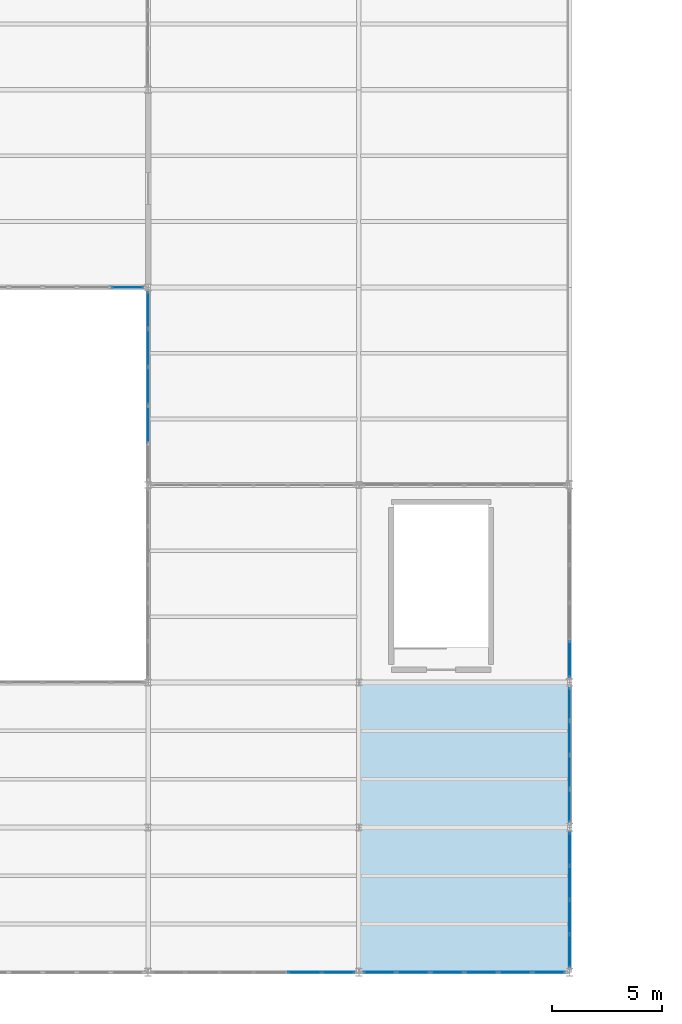
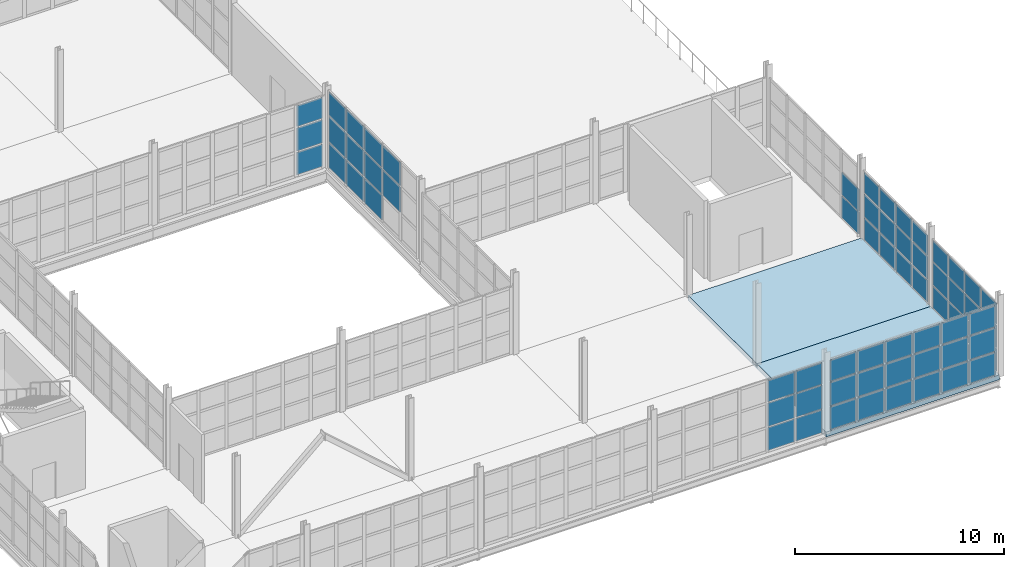
# One storey, part 92 of 120: 64 plates, 2 slabs, 7 elements without a shape of their own.
"""IFC4 building model written with IfcOpenShell, lengths in metres."""

import ifcopenshell
import ifcopenshell.guid

model = None  # the IFC model being written
_history = None  # IfcOwnerHistory: only IFC2X3 demands one
_inside = {}  # id of a spatial element -> (the spatial element, [elements in it])
_under = {}  # id of a project, library or spatial element -> (it, [spatial elements below it])
_declared = {}  # id of a project -> (the project, [libraries it declares])
_typed = {}  # id of a type object -> (the type object, [elements of that type])
_made_of = {}  # id of a material, layer set ... -> (it, [elements and type objects made of it])


def new_model(schema):
    """Start an empty IFC model of exactly this schema.

    Asked for "IFC4X3", IfcOpenShell would pick the latest addendum, in which some entities
    have other attributes; the version numbers below select the first issue.
    IFC2X3 requires an IfcOwnerHistory on every rooted entity: one is made here for all.
    """
    global model, _history
    if schema == "IFC4X3":
        model = ifcopenshell.file(schema_version=(4, 3, 0, 0))
    else:
        model = ifcopenshell.file(schema=schema)
    _inside.clear()
    _under.clear()
    _declared.clear()
    _typed.clear()
    _made_of.clear()
    _history = None
    if model.schema == "IFC2X3":
        org = make("IfcOrganization", Name="unknown")
        user = make(
            "IfcPersonAndOrganization",
            ThePerson=make("IfcPerson", FamilyName="unknown"),
            TheOrganization=org,
        )
        app = make(
            "IfcApplication",
            ApplicationDeveloper=org,
            Version="unknown",
            ApplicationFullName="unknown",
            ApplicationIdentifier="unknown",
        )
        _history = make(
            "IfcOwnerHistory",
            OwningUser=user,
            OwningApplication=app,
            ChangeAction="ADDED",
            CreationDate=0,
        )
    return model


def make(cls, **values):
    """One entity of the class cls with the attributes given. An attribute that is None is left unset."""
    return model.create_entity(
        cls, **{name: value for name, value in values.items() if value is not None}
    )


def rooted(cls, **values):
    """An entity with a GlobalId (a new one), such as an element, a storey or a relation."""
    return make(cls, GlobalId=ifcopenshell.guid.new(), OwnerHistory=_history, **values)


def si_unit(unit_type, name, prefix=None):
    """IfcSIUnit, for example si_unit("LENGTHUNIT", "METRE", prefix="MILLI")."""
    return make("IfcSIUnit", UnitType=unit_type, Prefix=prefix, Name=name)


def assignment(units):
    """IfcUnitAssignment: the units of a project."""
    return None if units is None else make("IfcUnitAssignment", Units=units)


def point(xyz):
    """IfcCartesianPoint."""
    return None if xyz is None else make("IfcCartesianPoint", Coordinates=xyz)


def direction(xyz):
    """IfcDirection."""
    return None if xyz is None else make("IfcDirection", DirectionRatios=xyz)


def frame(location, z_axis=None, x_axis=None):
    """IfcAxis2Placement3D, a coordinate frame: its origin and axes. An axis left out is left unset."""
    return make(
        "IfcAxis2Placement3D",
        Location=point(location),
        Axis=direction(z_axis),
        RefDirection=direction(x_axis),
    )


def frame_2d(location, x_axis=None):
    """IfcAxis2Placement2D, a coordinate frame in the plane: its origin and x axis."""
    return make(
        "IfcAxis2Placement2D", Location=point(location), RefDirection=direction(x_axis)
    )


def origin():
    """The frame at (0, 0, 0) with its axes left unset."""
    return frame((0.0, 0.0, 0.0))


def origin_2d():
    """The frame at (0, 0) in the plane with its x axis left unset."""
    return frame_2d((0.0, 0.0))


def place(relative_to, where):
    """IfcLocalPlacement: puts the frame where relative to a parent placement (None: the world)."""
    return make(
        "IfcLocalPlacement", PlacementRelTo=relative_to, RelativePlacement=where
    )


def context(
    kind, dimensions, precision=None, world=None, true_north=None, identifier=None
):
    """IfcGeometricRepresentationContext, for example the 3D "Model" context."""
    return make(
        "IfcGeometricRepresentationContext",
        ContextIdentifier=identifier,
        ContextType=kind,
        CoordinateSpaceDimension=dimensions,
        Precision=precision,
        WorldCoordinateSystem=world,
        TrueNorth=true_north,
    )


def subcontext(parent, identifier, kind, view, scale=None):
    """IfcGeometricRepresentationSubContext, for example "Body" below "Model"."""
    return make(
        "IfcGeometricRepresentationSubContext",
        ContextIdentifier=identifier,
        ContextType=kind,
        ParentContext=parent,
        TargetScale=scale,
        TargetView=view,
    )


def project(units=None, contexts=None):
    """IfcProject with its units and contexts."""
    return rooted(
        "IfcProject",
        Name="project",
        RepresentationContexts=contexts,
        UnitsInContext=assignment(units),
    )


def spatial(cls, under=None, at=None, **own):
    """A site, building, storey or space (cls), placed at a placement, below another one or the project."""
    s = rooted(cls, ObjectPlacement=at, **own)
    if under is not None:
        _under.setdefault(under.id(), (under, []))[1].append(s)
    return s


def polyline(points):
    """IfcPolyline through the points."""
    return make("IfcPolyline", Points=[point(p) for p in points])


def profile(cls, at=None, kind="AREA", **sizes):
    """A parametric profile (cls). Its sizes go by their IFC names, for example OverallWidth=200.0."""
    return make(cls, ProfileType=kind, Position=at, **sizes)


def rectangle(**sizes):
    """IfcRectangleProfileDef."""
    return profile("IfcRectangleProfileDef", **sizes)


def outline(outer, holes=None, kind="AREA"):
    """IfcArbitraryClosedProfileDef: a profile drawn as a closed curve; with holes, ...WithVoids."""
    if holes is None:
        return make("IfcArbitraryClosedProfileDef", ProfileType=kind, OuterCurve=outer)
    return make(
        "IfcArbitraryProfileDefWithVoids",
        ProfileType=kind,
        OuterCurve=outer,
        InnerCurves=holes,
    )


def extrude(swept, where, along, depth):
    """IfcExtrudedAreaSolid: the profile swept, set in the frame where, extruded along a direction by depth."""
    return make(
        "IfcExtrudedAreaSolid",
        SweptArea=swept,
        Position=where,
        ExtrudedDirection=direction(along),
        Depth=depth,
    )


def shape(context_of_items, identifier, shape_type, items):
    """IfcShapeRepresentation: the items that make up one representation, for example the "Body"."""
    return make(
        "IfcShapeRepresentation",
        ContextOfItems=context_of_items,
        RepresentationIdentifier=identifier,
        RepresentationType=shape_type,
        Items=items,
    )


def material(Name=None, Category=None):
    """IfcMaterial."""
    return make("IfcMaterial", Name=Name, Category=Category)


def layer(
    of_material, thickness, ventilated=None, Name=None, Category=None, Priority=None
):
    """IfcMaterialLayer: one layer of a wall or slab, of a material (None: an air gap)."""
    return make(
        "IfcMaterialLayer",
        Material=of_material,
        LayerThickness=thickness,
        IsVentilated=ventilated,
        Name=Name,
        Category=Category,
        Priority=Priority,
    )


def layer_set(layers, Name=None):
    """IfcMaterialLayerSet."""
    return make("IfcMaterialLayerSet", MaterialLayers=layers, LayerSetName=Name)


def made_of(thing, what):
    """Note that an element or type object is made of a material, layer set ...; save() writes the relation."""
    if what is not None:
        _made_of.setdefault(what.id(), (what, []))[1].append(thing)
    return thing


def type_object(cls, material=None, **own):
    """A type object (cls), such as IfcWallType, which elements share."""
    return made_of(rooted(cls, **own), material)


def element(
    cls,
    number,
    at=None,
    inside=None,
    cuts=None,
    type_object=None,
    material=None,
    context=None,
    identifier="Body",
    shape_type=None,
    held_by="IfcProductDefinitionShape",
    body=None,
    shapes=None,
    **own,
):
    """One element of the class cls, such as IfcWall. Its Tag is "e" and its number.

    at: its placement. inside: the storey or other place that contains it. cuts: it is an
    opening in that element (IfcRelVoidsElement). A single representation is given by context,
    identifier, shape_type and body (its items); several are given by shapes. held_by: the class
    of the entity that holds the representations. save() writes the other relations.
    """
    e = rooted(cls, Tag="e%d" % number, ObjectPlacement=at, **own)
    if body is not None:
        shapes = [shape(context, identifier, shape_type, body)]
    if shapes is not None:
        e.Representation = make(held_by, Representations=shapes)
    if inside is not None:
        _inside.setdefault(inside.id(), (inside, []))[1].append(e)
    if cuts is not None:
        rooted(
            "IfcRelVoidsElement", RelatingBuildingElement=cuts, RelatedOpeningElement=e
        )
    if type_object is not None:
        _typed.setdefault(type_object.id(), (type_object, []))[1].append(e)
    return made_of(e, material)


def aggregate(whole, parts):
    """IfcRelAggregates: a whole, such as a stair, and the parts it consists of."""
    return rooted("IfcRelAggregates", RelatingObject=whole, RelatedObjects=parts)


def save(model, path):
    """Write the relations noted so far, then the file.

    IfcRelAggregates (storeys below a building ...), IfcRelContainedInSpatialStructure (elements
    in a storey), IfcRelDefinesByType, IfcRelAssociatesMaterial and IfcRelDeclares: one each for
    every whole, place, type object, material and project.
    """
    for whole, parts in _under.values():
        aggregate(whole, parts)
    for where, things in _inside.values():
        rooted(
            "IfcRelContainedInSpatialStructure",
            RelatedElements=things,
            RelatingStructure=where,
        )
    for kind, things in _typed.values():
        rooted("IfcRelDefinesByType", RelatedObjects=things, RelatingType=kind)
    for what, things in _made_of.values():
        rooted("IfcRelAssociatesMaterial", RelatedObjects=things, RelatingMaterial=what)
    for by, libraries in _declared.values():
        rooted("IfcRelDeclares", RelatingContext=by, RelatedDefinitions=libraries)
    model.write(path)


model = new_model("IFC4")

# Units and contexts
model_context = context("Model", 3, precision=1e-05, world=origin(), true_north=direction((0.0, 1.0)))
body_context = subcontext(model_context, "Body", "Model", "MODEL_VIEW")
ifc_project = project(units=[si_unit("LENGTHUNIT", "METRE"), si_unit("AREAUNIT", "SQUARE_METRE"), si_unit("VOLUMEUNIT", "CUBIC_METRE"), si_unit("PLANEANGLEUNIT", "RADIAN"), si_unit("MASSUNIT", "GRAM", prefix="KILO")], contexts=[model_context])

# Site, building, storey
site_placement = place(None, origin())
site = spatial("IfcSite", under=ifc_project, at=site_placement, CompositionType="ELEMENT")
building_placement = place(site_placement, origin())
building = spatial("IfcBuilding", under=site, at=building_placement, Name="Zarnetskaya Central Station", CompositionType="ELEMENT")
storey_placement = place(building_placement, frame((0.0, 0.0, 5.39990234375)))
storey = spatial("IfcBuildingStorey", under=building, at=storey_placement, Name="L01", CompositionType="ELEMENT", Elevation=5.39990234375)

# Curtain wall, plates
ifc_material_1 = material(Name="Low-E insulated glass", Category="glass")
ifc_layer_1 = layer(ifc_material_1, 0.159912109375, Name="Low-E insulated glass", Category="glass")
ifc_layer_set_1 = layer_set([ifc_layer_1], Name="Low-E insulated glass")
curtain_wall_type = type_object("IfcCurtainWallType", Name="CW-SYS-06", PredefinedType="USERDEFINED", material=ifc_layer_set_1)
curtain_wall_1_placement = place(storey_placement, origin())
curtain_wall_1 = element("IfcCurtainWall", 1, at=curtain_wall_1_placement, inside=storey, type_object=curtain_wall_type, Name="Curtain wall CW-L01-120", ObjectType="CURTAIN WALL", PredefinedType="USERDEFINED")
ifc_layer_2 = layer(ifc_material_1, 0.028076171875, Name="Low-E insulated glass", Category="glass")
ifc_layer_set_2 = layer_set([ifc_layer_2], Name="Low-E insulated glass")
plate_type_1 = type_object("IfcPlateType", Name="CW-PAN-28", PredefinedType="CURTAIN_PANEL", material=ifc_layer_set_2)
plate_1_placement = place(storey_placement, frame((172.800048828125, 12.219970703125, 0.080078125), z_axis=(0.0, 0.0, 1.0), x_axis=(0.0, -1.0, 0.0)))
plate_1 = element("IfcPlate", 2, at=plate_1_placement, type_object=plate_type_1, Name="CW-02 panel 1.1", PredefinedType="CURTAIN_PANEL", context=body_context, shape_type="SweptSolid", body=[
    extrude(rectangle(XDim=1.43994140625, YDim=0.028076171875, at=origin_2d()), origin(), (0.0, 0.0, 1.0), 1.26708984375),
])
plate_2_placement = place(storey_placement, frame((172.800048828125, 12.219970703125, 1.42724609375), z_axis=(0.0, 0.0, 1.0), x_axis=(0.0, -1.0, 0.0)))
plate_2 = element("IfcPlate", 3, at=plate_2_placement, type_object=plate_type_1, Name="CW-02 panel 1.2", PredefinedType="CURTAIN_PANEL", context=body_context, shape_type="SweptSolid", body=[
    extrude(rectangle(XDim=1.43994140625, YDim=0.028076171875, at=origin_2d()), origin(), (0.0, 0.0, 1.0), 1.306884765625),
])
plate_3_placement = place(storey_placement, frame((172.800048828125, 12.219970703125, 2.81396484375), z_axis=(0.0, 0.0, 1.0), x_axis=(0.0, -1.0, 0.0)))
plate_3 = element("IfcPlate", 4, at=plate_3_placement, type_object=plate_type_1, Name="CW-02 panel 1.3", PredefinedType="CURTAIN_PANEL", context=body_context, shape_type="SweptSolid", body=[
    extrude(rectangle(XDim=1.43994140625, YDim=0.028076171875, at=origin_2d()), origin(), (0.0, 0.0, 1.0), 1.18603515625),
])
plate_4_placement = place(storey_placement, frame((172.800048828125, 10.679931640625, 0.080078125), z_axis=(0.0, 0.0, 1.0), x_axis=(0.0, -1.0, 0.0)))
plate_4 = element("IfcPlate", 5, at=plate_4_placement, type_object=plate_type_1, Name="CW-02 panel 2.1", PredefinedType="CURTAIN_PANEL", context=body_context, shape_type="SweptSolid", body=[
    extrude(rectangle(XDim=1.47998046875, YDim=0.028076171875, at=origin_2d()), origin(), (0.0, 0.0, 1.0), 1.26708984375),
])
plate_5_placement = place(storey_placement, frame((172.800048828125, 10.679931640625, 1.42724609375), z_axis=(0.0, 0.0, 1.0), x_axis=(0.0, -1.0, 0.0)))
plate_5 = element("IfcPlate", 6, at=plate_5_placement, type_object=plate_type_1, Name="CW-02 panel 2.2", PredefinedType="CURTAIN_PANEL", context=body_context, shape_type="SweptSolid", body=[
    extrude(rectangle(XDim=1.47998046875, YDim=0.028076171875, at=origin_2d()), origin(), (0.0, 0.0, 1.0), 1.306884765625),
])
plate_6_placement = place(storey_placement, frame((172.800048828125, 10.679931640625, 2.81396484375), z_axis=(0.0, 0.0, 1.0), x_axis=(0.0, -1.0, 0.0)))
plate_6 = element("IfcPlate", 7, at=plate_6_placement, type_object=plate_type_1, Name="CW-02 panel 2.3", PredefinedType="CURTAIN_PANEL", context=body_context, shape_type="SweptSolid", body=[
    extrude(rectangle(XDim=1.47998046875, YDim=0.028076171875, at=origin_2d()), origin(), (0.0, 0.0, 1.0), 1.18603515625),
])
plate_7_placement = place(storey_placement, frame((172.800048828125, 9.1201171875, 0.080078125), z_axis=(0.0, 0.0, 1.0), x_axis=(0.0, -1.0, 0.0)))
plate_7 = element("IfcPlate", 8, at=plate_7_placement, type_object=plate_type_1, Name="CW-02 panel 3.1", PredefinedType="CURTAIN_PANEL", context=body_context, shape_type="SweptSolid", body=[
    extrude(rectangle(XDim=1.47998046875, YDim=0.028076171875, at=origin_2d()), origin(), (0.0, 0.0, 1.0), 1.26708984375),
])
plate_8_placement = place(storey_placement, frame((172.800048828125, 9.1201171875, 1.42724609375), z_axis=(0.0, 0.0, 1.0), x_axis=(0.0, -1.0, 0.0)))
plate_8 = element("IfcPlate", 9, at=plate_8_placement, type_object=plate_type_1, Name="CW-02 panel 3.2", PredefinedType="CURTAIN_PANEL", context=body_context, shape_type="SweptSolid", body=[
    extrude(rectangle(XDim=1.47998046875, YDim=0.028076171875, at=origin_2d()), origin(), (0.0, 0.0, 1.0), 1.306884765625),
])
plate_9_placement = place(storey_placement, frame((172.800048828125, 9.1201171875, 2.81396484375), z_axis=(0.0, 0.0, 1.0), x_axis=(0.0, -1.0, 0.0)))
plate_9 = element("IfcPlate", 10, at=plate_9_placement, type_object=plate_type_1, Name="CW-02 panel 3.3", PredefinedType="CURTAIN_PANEL", context=body_context, shape_type="SweptSolid", body=[
    extrude(rectangle(XDim=1.47998046875, YDim=0.028076171875, at=origin_2d()), origin(), (0.0, 0.0, 1.0), 1.18603515625),
])
plate_10_placement = place(storey_placement, frame((172.800048828125, 7.580078125, 0.080078125), z_axis=(0.0, 0.0, 1.0), x_axis=(0.0, -1.0, 0.0)))
plate_10 = element("IfcPlate", 11, at=plate_10_placement, type_object=plate_type_1, Name="CW-02 panel 4.1", PredefinedType="CURTAIN_PANEL", context=body_context, shape_type="SweptSolid", body=[
    extrude(rectangle(XDim=1.43994140625, YDim=0.028076171875, at=origin_2d()), origin(), (0.0, 0.0, 1.0), 1.26708984375),
])
plate_11_placement = place(storey_placement, frame((172.800048828125, 7.580078125, 1.42724609375), z_axis=(0.0, 0.0, 1.0), x_axis=(0.0, -1.0, 0.0)))
plate_11 = element("IfcPlate", 12, at=plate_11_placement, type_object=plate_type_1, Name="CW-02 panel 4.2", PredefinedType="CURTAIN_PANEL", context=body_context, shape_type="SweptSolid", body=[
    extrude(rectangle(XDim=1.43994140625, YDim=0.028076171875, at=origin_2d()), origin(), (0.0, 0.0, 1.0), 1.306884765625),
])
plate_12_placement = place(storey_placement, frame((172.800048828125, 7.580078125, 2.81396484375), z_axis=(0.0, 0.0, 1.0), x_axis=(0.0, -1.0, 0.0)))
plate_12 = element("IfcPlate", 13, at=plate_12_placement, type_object=plate_type_1, Name="CW-02 panel 4.3", PredefinedType="CURTAIN_PANEL", context=body_context, shape_type="SweptSolid", body=[
    extrude(rectangle(XDim=1.43994140625, YDim=0.028076171875, at=origin_2d()), origin(), (0.0, 0.0, 1.0), 1.18603515625),
])
aggregate(curtain_wall_1, [plate_1, plate_2, plate_3, plate_4, plate_5, plate_6, plate_7, plate_8, plate_9, plate_10, plate_11, plate_12])

curtain_wall_2_placement = place(storey_placement, origin())
curtain_wall_2 = element("IfcCurtainWall", 14, at=curtain_wall_2_placement, inside=storey, type_object=curtain_wall_type, Name="Curtain wall CW-L01-130", ObjectType="CURTAIN WALL", PredefinedType="USERDEFINED")
plate_13_placement = place(storey_placement, frame((152.655029296875, 31.199951171875, 0.080078125), z_axis=(0.0, 0.0, 1.0), x_axis=(-1.0, 0.0, 0.0)))
plate_13 = element("IfcPlate", 15, at=plate_13_placement, type_object=plate_type_1, Name="CW-02 panel 1.1", PredefinedType="CURTAIN_PANEL", context=body_context, shape_type="SweptSolid", body=[
    extrude(rectangle(XDim=1.429931640625, YDim=0.028076171875, at=origin_2d()), origin(), (0.0, 0.0, 1.0), 1.30810546875),
])
plate_14_placement = place(storey_placement, frame((152.655029296875, 31.199951171875, 1.46826171875), z_axis=(0.0, 0.0, 1.0), x_axis=(-1.0, 0.0, 0.0)))
plate_14 = element("IfcPlate", 16, at=plate_14_placement, type_object=plate_type_1, Name="CW-02 panel 1.2", PredefinedType="CURTAIN_PANEL", context=body_context, shape_type="SweptSolid", body=[
    extrude(rectangle(XDim=1.429931640625, YDim=0.028076171875, at=origin_2d()), origin(), (0.0, 0.0, 1.0), 1.347900390625),
])
plate_15_placement = place(storey_placement, frame((152.655029296875, 31.199951171875, 2.89599609375), z_axis=(0.0, 0.0, 1.0), x_axis=(-1.0, 0.0, 0.0)))
plate_15 = element("IfcPlate", 17, at=plate_15_placement, type_object=plate_type_1, Name="CW-02 panel 1.3", PredefinedType="CURTAIN_PANEL", context=body_context, shape_type="SweptSolid", body=[
    extrude(rectangle(XDim=1.429931640625, YDim=0.028076171875, at=origin_2d()), origin(), (0.0, 0.0, 1.0), 1.22412109375),
])
aggregate(curtain_wall_2, [plate_13, plate_14, plate_15])

curtain_wall_3_placement = place(storey_placement, origin())
curtain_wall_3 = element("IfcCurtainWall", 18, at=curtain_wall_3_placement, inside=storey, type_object=curtain_wall_type, Name="Curtain wall CW-L01-116", ObjectType="CURTAIN WALL", PredefinedType="USERDEFINED")
ifc_layer_3 = layer(ifc_material_1, 0.031982421875, Name="Low-E insulated glass", Category="glass")
ifc_layer_set_3 = layer_set([ifc_layer_3], Name="Low-E insulated glass")
plate_type_2 = type_object("IfcPlateType", Name="CW-PAN-32", PredefinedType="CURTAIN_PANEL", material=ifc_layer_set_3)
plate_16_placement = place(storey_placement, frame((153.60009765625, 30.159912109375, 0.080078125), z_axis=(0.0, 0.0, 1.0), x_axis=(0.0, -1.0, 0.0)))
plate_16 = element("IfcPlate", 19, at=plate_16_placement, type_object=plate_type_2, Name="CW-02 panel 1.1", PredefinedType="CURTAIN_PANEL", context=body_context, shape_type="SweptSolid", body=[
    extrude(rectangle(XDim=1.6201171875, YDim=0.031982421875, at=origin_2d()), origin(), (0.0, 0.0, 1.0), 1.43408203125),
])
plate_17_placement = place(storey_placement, frame((153.60009765625, 30.159912109375, 1.593994140625), z_axis=(0.0, 0.0, 1.0), x_axis=(0.0, -1.0, 0.0)))
plate_17 = element("IfcPlate", 20, at=plate_17_placement, type_object=plate_type_2, Name="CW-02 panel 1.2", PredefinedType="CURTAIN_PANEL", context=body_context, shape_type="SweptSolid", body=[
    extrude(rectangle(XDim=1.6201171875, YDim=0.031982421875, at=origin_2d()), origin(), (0.0, 0.0, 1.0), 1.47412109375),
])
plate_18_placement = place(storey_placement, frame((153.60009765625, 30.159912109375, 3.14794921875), z_axis=(0.0, 0.0, 1.0), x_axis=(0.0, -1.0, 0.0)))
plate_18 = element("IfcPlate", 21, at=plate_18_placement, type_object=plate_type_2, Name="CW-02 panel 1.3", PredefinedType="CURTAIN_PANEL", context=body_context, shape_type="SweptSolid", body=[
    extrude(rectangle(XDim=1.6201171875, YDim=0.031982421875, at=origin_2d()), origin(), (0.0, 0.0, 1.0), 1.342041015625),
])
plate_19_placement = place(storey_placement, frame((153.60009765625, 28.43994140625, 0.080078125), z_axis=(0.0, 0.0, 1.0), x_axis=(0.0, -1.0, 0.0)))
plate_19 = element("IfcPlate", 22, at=plate_19_placement, type_object=plate_type_2, Name="CW-02 panel 2.1", PredefinedType="CURTAIN_PANEL", context=body_context, shape_type="SweptSolid", body=[
    extrude(rectangle(XDim=1.659912109375, YDim=0.031982421875, at=origin_2d()), origin(), (0.0, 0.0, 1.0), 1.43408203125),
])
plate_20_placement = place(storey_placement, frame((153.60009765625, 28.43994140625, 1.593994140625), z_axis=(0.0, 0.0, 1.0), x_axis=(0.0, -1.0, 0.0)))
plate_20 = element("IfcPlate", 23, at=plate_20_placement, type_object=plate_type_2, Name="CW-02 panel 2.2", PredefinedType="CURTAIN_PANEL", context=body_context, shape_type="SweptSolid", body=[
    extrude(rectangle(XDim=1.659912109375, YDim=0.031982421875, at=origin_2d()), origin(), (0.0, 0.0, 1.0), 1.47412109375),
])
plate_21_placement = place(storey_placement, frame((153.60009765625, 28.43994140625, 3.14794921875), z_axis=(0.0, 0.0, 1.0), x_axis=(0.0, -1.0, 0.0)))
plate_21 = element("IfcPlate", 24, at=plate_21_placement, type_object=plate_type_2, Name="CW-02 panel 2.3", PredefinedType="CURTAIN_PANEL", context=body_context, shape_type="SweptSolid", body=[
    extrude(rectangle(XDim=1.659912109375, YDim=0.031982421875, at=origin_2d()), origin(), (0.0, 0.0, 1.0), 1.342041015625),
])
plate_22_placement = place(storey_placement, frame((153.60009765625, 26.699951171875, 0.080078125), z_axis=(0.0, 0.0, 1.0), x_axis=(0.0, -1.0, 0.0)))
plate_22 = element("IfcPlate", 25, at=plate_22_placement, type_object=plate_type_2, Name="CW-02 panel 3.1", PredefinedType="CURTAIN_PANEL", context=body_context, shape_type="SweptSolid", body=[
    extrude(rectangle(XDim=1.659912109375, YDim=0.031982421875, at=origin_2d()), origin(), (0.0, 0.0, 1.0), 1.43408203125),
])
plate_23_placement = place(storey_placement, frame((153.60009765625, 26.699951171875, 1.593994140625), z_axis=(0.0, 0.0, 1.0), x_axis=(0.0, -1.0, 0.0)))
plate_23 = element("IfcPlate", 26, at=plate_23_placement, type_object=plate_type_2, Name="CW-02 panel 3.2", PredefinedType="CURTAIN_PANEL", context=body_context, shape_type="SweptSolid", body=[
    extrude(rectangle(XDim=1.659912109375, YDim=0.031982421875, at=origin_2d()), origin(), (0.0, 0.0, 1.0), 1.47412109375),
])
plate_24_placement = place(storey_placement, frame((153.60009765625, 26.699951171875, 3.14794921875), z_axis=(0.0, 0.0, 1.0), x_axis=(0.0, -1.0, 0.0)))
plate_24 = element("IfcPlate", 27, at=plate_24_placement, type_object=plate_type_2, Name="CW-02 panel 3.3", PredefinedType="CURTAIN_PANEL", context=body_context, shape_type="SweptSolid", body=[
    extrude(rectangle(XDim=1.659912109375, YDim=0.031982421875, at=origin_2d()), origin(), (0.0, 0.0, 1.0), 1.342041015625),
])
plate_25_placement = place(storey_placement, frame((153.60009765625, 24.9599609375, 1.593994140625), z_axis=(0.0, 0.0, 1.0), x_axis=(0.0, -1.0, 0.0)))
plate_25 = element("IfcPlate", 28, at=plate_25_placement, type_object=plate_type_2, Name="CW-02 panel 4.2", PredefinedType="CURTAIN_PANEL", context=body_context, shape_type="SweptSolid", body=[
    extrude(rectangle(XDim=1.659912109375, YDim=0.031982421875, at=origin_2d()), origin(), (0.0, 0.0, 1.0), 1.47412109375),
])
plate_26_placement = place(storey_placement, frame((153.60009765625, 24.9599609375, 3.14794921875), z_axis=(0.0, 0.0, 1.0), x_axis=(0.0, -1.0, 0.0)))
plate_26 = element("IfcPlate", 29, at=plate_26_placement, type_object=plate_type_2, Name="CW-02 panel 4.3", PredefinedType="CURTAIN_PANEL", context=body_context, shape_type="SweptSolid", body=[
    extrude(rectangle(XDim=1.659912109375, YDim=0.031982421875, at=origin_2d()), origin(), (0.0, 0.0, 1.0), 1.342041015625),
])
aggregate(curtain_wall_3, [plate_16, plate_17, plate_18, plate_19, plate_20, plate_21, plate_22, plate_23, plate_24, plate_25, plate_26])

curtain_wall_4_placement = place(storey_placement, origin())
curtain_wall_4 = element("IfcCurtainWall", 30, at=curtain_wall_4_placement, inside=storey, type_object=curtain_wall_type, Name="Curtain wall CW-L01-121", ObjectType="CURTAIN WALL", PredefinedType="USERDEFINED")
plate_27_placement = place(storey_placement, frame((172.800048828125, 5.62255859375, 0.0703125), z_axis=(0.0, 0.0, 1.0), x_axis=(0.0, -1.0, 0.0)))
plate_27 = element("IfcPlate", 31, at=plate_27_placement, type_object=plate_type_2, Name="CW-02 panel 1.1", PredefinedType="CURTAIN_PANEL", context=body_context, shape_type="SweptSolid", body=[
    extrude(rectangle(XDim=1.455078125, YDim=0.031982421875, at=origin_2d()), origin(), (0.0, 0.0, 1.0), 1.281982421875),
])
plate_28_placement = place(storey_placement, frame((172.800048828125, 5.62255859375, 1.422119140625), z_axis=(0.0, 0.0, 1.0), x_axis=(0.0, -1.0, 0.0)))
plate_28 = element("IfcPlate", 32, at=plate_28_placement, type_object=plate_type_2, Name="CW-02 panel 1.2", PredefinedType="CURTAIN_PANEL", context=body_context, shape_type="SweptSolid", body=[
    extrude(rectangle(XDim=1.455078125, YDim=0.031982421875, at=origin_2d()), origin(), (0.0, 0.0, 1.0), 1.31689453125),
])
plate_29_placement = place(storey_placement, frame((172.800048828125, 5.62255859375, 2.80908203125), z_axis=(0.0, 0.0, 1.0), x_axis=(0.0, -1.0, 0.0)))
plate_29 = element("IfcPlate", 33, at=plate_29_placement, type_object=plate_type_2, Name="CW-02 panel 1.3", PredefinedType="CURTAIN_PANEL", context=body_context, shape_type="SweptSolid", body=[
    extrude(rectangle(XDim=1.455078125, YDim=0.031982421875, at=origin_2d()), origin(), (0.0, 0.0, 1.0), 1.200927734375),
])
plate_30_placement = place(storey_placement, frame((172.800048828125, 4.080078125, 0.0703125), z_axis=(0.0, 0.0, 1.0), x_axis=(0.0, -1.0, 0.0)))
plate_30 = element("IfcPlate", 34, at=plate_30_placement, type_object=plate_type_2, Name="CW-02 panel 2.1", PredefinedType="CURTAIN_PANEL", context=body_context, shape_type="SweptSolid", body=[
    extrude(rectangle(XDim=1.489990234375, YDim=0.031982421875, at=origin_2d()), origin(), (0.0, 0.0, 1.0), 1.281982421875),
])
plate_31_placement = place(storey_placement, frame((172.800048828125, 4.080078125, 1.422119140625), z_axis=(0.0, 0.0, 1.0), x_axis=(0.0, -1.0, 0.0)))
plate_31 = element("IfcPlate", 35, at=plate_31_placement, type_object=plate_type_2, Name="CW-02 panel 2.2", PredefinedType="CURTAIN_PANEL", context=body_context, shape_type="SweptSolid", body=[
    extrude(rectangle(XDim=1.489990234375, YDim=0.031982421875, at=origin_2d()), origin(), (0.0, 0.0, 1.0), 1.31689453125),
])
plate_32_placement = place(storey_placement, frame((172.800048828125, 4.080078125, 2.80908203125), z_axis=(0.0, 0.0, 1.0), x_axis=(0.0, -1.0, 0.0)))
plate_32 = element("IfcPlate", 36, at=plate_32_placement, type_object=plate_type_2, Name="CW-02 panel 2.3", PredefinedType="CURTAIN_PANEL", context=body_context, shape_type="SweptSolid", body=[
    extrude(rectangle(XDim=1.489990234375, YDim=0.031982421875, at=origin_2d()), origin(), (0.0, 0.0, 1.0), 1.200927734375),
])
plate_33_placement = place(storey_placement, frame((172.800048828125, 2.52001953125, 0.0703125), z_axis=(0.0, 0.0, 1.0), x_axis=(0.0, -1.0, 0.0)))
plate_33 = element("IfcPlate", 37, at=plate_33_placement, type_object=plate_type_2, Name="CW-02 panel 3.1", PredefinedType="CURTAIN_PANEL", context=body_context, shape_type="SweptSolid", body=[
    extrude(rectangle(XDim=1.489990234375, YDim=0.031982421875, at=origin_2d()), origin(), (0.0, 0.0, 1.0), 1.281982421875),
])
plate_34_placement = place(storey_placement, frame((172.800048828125, 2.52001953125, 1.422119140625), z_axis=(0.0, 0.0, 1.0), x_axis=(0.0, -1.0, 0.0)))
plate_34 = element("IfcPlate", 38, at=plate_34_placement, type_object=plate_type_2, Name="CW-02 panel 3.2", PredefinedType="CURTAIN_PANEL", context=body_context, shape_type="SweptSolid", body=[
    extrude(rectangle(XDim=1.489990234375, YDim=0.031982421875, at=origin_2d()), origin(), (0.0, 0.0, 1.0), 1.31689453125),
])
plate_35_placement = place(storey_placement, frame((172.800048828125, 2.52001953125, 2.80908203125), z_axis=(0.0, 0.0, 1.0), x_axis=(0.0, -1.0, 0.0)))
plate_35 = element("IfcPlate", 39, at=plate_35_placement, type_object=plate_type_2, Name="CW-02 panel 3.3", PredefinedType="CURTAIN_PANEL", context=body_context, shape_type="SweptSolid", body=[
    extrude(rectangle(XDim=1.489990234375, YDim=0.031982421875, at=origin_2d()), origin(), (0.0, 0.0, 1.0), 1.200927734375),
])
plate_36_placement = place(storey_placement, frame((172.800048828125, 0.9775390625, 0.0703125), z_axis=(0.0, 0.0, 1.0), x_axis=(0.0, -1.0, 0.0)))
plate_36 = element("IfcPlate", 40, at=plate_36_placement, type_object=plate_type_2, Name="CW-02 panel 4.1", PredefinedType="CURTAIN_PANEL", context=body_context, shape_type="SweptSolid", body=[
    extrude(rectangle(XDim=1.455078125, YDim=0.031982421875, at=origin_2d()), origin(), (0.0, 0.0, 1.0), 1.281982421875),
])
plate_37_placement = place(storey_placement, frame((172.800048828125, 0.9775390625, 1.422119140625), z_axis=(0.0, 0.0, 1.0), x_axis=(0.0, -1.0, 0.0)))
plate_37 = element("IfcPlate", 41, at=plate_37_placement, type_object=plate_type_2, Name="CW-02 panel 4.2", PredefinedType="CURTAIN_PANEL", context=body_context, shape_type="SweptSolid", body=[
    extrude(rectangle(XDim=1.455078125, YDim=0.031982421875, at=origin_2d()), origin(), (0.0, 0.0, 1.0), 1.31689453125),
])
plate_38_placement = place(storey_placement, frame((172.800048828125, 0.9775390625, 2.80908203125), z_axis=(0.0, 0.0, 1.0), x_axis=(0.0, -1.0, 0.0)))
plate_38 = element("IfcPlate", 42, at=plate_38_placement, type_object=plate_type_2, Name="CW-02 panel 4.3", PredefinedType="CURTAIN_PANEL", context=body_context, shape_type="SweptSolid", body=[
    extrude(rectangle(XDim=1.455078125, YDim=0.031982421875, at=origin_2d()), origin(), (0.0, 0.0, 1.0), 1.200927734375),
])
aggregate(curtain_wall_4, [plate_27, plate_28, plate_29, plate_30, plate_31, plate_32, plate_33, plate_34, plate_35, plate_36, plate_37, plate_38])

curtain_wall_5_placement = place(storey_placement, origin())
curtain_wall_5 = element("IfcCurtainWall", 43, at=curtain_wall_5_placement, inside=storey, type_object=curtain_wall_type, Name="Curtain wall CW-L01-122", ObjectType="CURTAIN WALL", PredefinedType="USERDEFINED")
ifc_layer_4 = layer(ifc_material_1, 0.035888671875, Name="Low-E insulated glass", Category="glass")
ifc_layer_set_4 = layer_set([ifc_layer_4], Name="Low-E insulated glass")
plate_type_3 = type_object("IfcPlateType", Name="CW-PAN-36", PredefinedType="CURTAIN_PANEL", material=ifc_layer_set_4)
plate_39_placement = place(storey_placement, frame((171.85498046875, 0.0, 0.080078125), z_axis=(0.0, 0.0, 1.0), x_axis=(-1.0, 0.0, 0.0)))
plate_39 = element("IfcPlate", 44, at=plate_39_placement, type_object=plate_type_3, Name="CW-02 panel 1.1", PredefinedType="CURTAIN_PANEL", context=body_context, shape_type="SweptSolid", body=[
    extrude(rectangle(XDim=1.429931640625, YDim=0.035888671875, at=origin_2d()), origin(), (0.0, 0.0, 1.0), 1.31494140625),
])
plate_40_placement = place(storey_placement, frame((171.85498046875, 0.0, 1.47509765625), z_axis=(0.0, 0.0, 1.0), x_axis=(-1.0, 0.0, 0.0)))
plate_40 = element("IfcPlate", 45, at=plate_40_placement, type_object=plate_type_3, Name="CW-02 panel 1.2", PredefinedType="CURTAIN_PANEL", context=body_context, shape_type="SweptSolid", body=[
    extrude(rectangle(XDim=1.429931640625, YDim=0.035888671875, at=origin_2d()), origin(), (0.0, 0.0, 1.0), 1.35498046875),
])
plate_41_placement = place(storey_placement, frame((171.85498046875, 0.0, 2.91015625), z_axis=(0.0, 0.0, 1.0), x_axis=(-1.0, 0.0, 0.0)))
plate_41 = element("IfcPlate", 46, at=plate_41_placement, type_object=plate_type_3, Name="CW-02 panel 1.3", PredefinedType="CURTAIN_PANEL", context=body_context, shape_type="SweptSolid", body=[
    extrude(rectangle(XDim=1.429931640625, YDim=0.035888671875, at=origin_2d()), origin(), (0.0, 0.0, 1.0), 1.22998046875),
])
plate_42_placement = place(storey_placement, frame((170.324951171875, 0.0, 0.080078125), z_axis=(0.0, 0.0, 1.0), x_axis=(-1.0, 0.0, 0.0)))
plate_42 = element("IfcPlate", 47, at=plate_42_placement, type_object=plate_type_3, Name="CW-02 panel 2.1", PredefinedType="CURTAIN_PANEL", context=body_context, shape_type="SweptSolid", body=[
    extrude(rectangle(XDim=1.469970703125, YDim=0.035888671875, at=origin_2d()), origin(), (0.0, 0.0, 1.0), 1.31494140625),
])
plate_43_placement = place(storey_placement, frame((170.324951171875, 0.0, 1.47509765625), z_axis=(0.0, 0.0, 1.0), x_axis=(-1.0, 0.0, 0.0)))
plate_43 = element("IfcPlate", 48, at=plate_43_placement, type_object=plate_type_3, Name="CW-02 panel 2.2", PredefinedType="CURTAIN_PANEL", context=body_context, shape_type="SweptSolid", body=[
    extrude(rectangle(XDim=1.469970703125, YDim=0.035888671875, at=origin_2d()), origin(), (0.0, 0.0, 1.0), 1.35498046875),
])
plate_44_placement = place(storey_placement, frame((170.324951171875, 0.0, 2.91015625), z_axis=(0.0, 0.0, 1.0), x_axis=(-1.0, 0.0, 0.0)))
plate_44 = element("IfcPlate", 49, at=plate_44_placement, type_object=plate_type_3, Name="CW-02 panel 2.3", PredefinedType="CURTAIN_PANEL", context=body_context, shape_type="SweptSolid", body=[
    extrude(rectangle(XDim=1.469970703125, YDim=0.035888671875, at=origin_2d()), origin(), (0.0, 0.0, 1.0), 1.22998046875),
])
plate_45_placement = place(storey_placement, frame((168.77490234375, 0.0, 0.080078125), z_axis=(0.0, 0.0, 1.0), x_axis=(-1.0, 0.0, 0.0)))
plate_45 = element("IfcPlate", 50, at=plate_45_placement, type_object=plate_type_3, Name="CW-02 panel 3.1", PredefinedType="CURTAIN_PANEL", context=body_context, shape_type="SweptSolid", body=[
    extrude(rectangle(XDim=1.469970703125, YDim=0.035888671875, at=origin_2d()), origin(), (0.0, 0.0, 1.0), 1.31494140625),
])
plate_46_placement = place(storey_placement, frame((168.77490234375, 0.0, 1.47509765625), z_axis=(0.0, 0.0, 1.0), x_axis=(-1.0, 0.0, 0.0)))
plate_46 = element("IfcPlate", 51, at=plate_46_placement, type_object=plate_type_3, Name="CW-02 panel 3.2", PredefinedType="CURTAIN_PANEL", context=body_context, shape_type="SweptSolid", body=[
    extrude(rectangle(XDim=1.469970703125, YDim=0.035888671875, at=origin_2d()), origin(), (0.0, 0.0, 1.0), 1.35498046875),
])
plate_47_placement = place(storey_placement, frame((168.77490234375, 0.0, 2.91015625), z_axis=(0.0, 0.0, 1.0), x_axis=(-1.0, 0.0, 0.0)))
plate_47 = element("IfcPlate", 52, at=plate_47_placement, type_object=plate_type_3, Name="CW-02 panel 3.3", PredefinedType="CURTAIN_PANEL", context=body_context, shape_type="SweptSolid", body=[
    extrude(rectangle(XDim=1.469970703125, YDim=0.035888671875, at=origin_2d()), origin(), (0.0, 0.0, 1.0), 1.22998046875),
])
plate_48_placement = place(storey_placement, frame((167.22509765625, 0.0, 0.080078125), z_axis=(0.0, 0.0, 1.0), x_axis=(-1.0, 0.0, 0.0)))
plate_48 = element("IfcPlate", 53, at=plate_48_placement, type_object=plate_type_3, Name="CW-02 panel 4.1", PredefinedType="CURTAIN_PANEL", context=body_context, shape_type="SweptSolid", body=[
    extrude(rectangle(XDim=1.469970703125, YDim=0.035888671875, at=origin_2d()), origin(), (0.0, 0.0, 1.0), 1.31494140625),
])
plate_49_placement = place(storey_placement, frame((167.22509765625, 0.0, 1.47509765625), z_axis=(0.0, 0.0, 1.0), x_axis=(-1.0, 0.0, 0.0)))
plate_49 = element("IfcPlate", 54, at=plate_49_placement, type_object=plate_type_3, Name="CW-02 panel 4.2", PredefinedType="CURTAIN_PANEL", context=body_context, shape_type="SweptSolid", body=[
    extrude(rectangle(XDim=1.469970703125, YDim=0.035888671875, at=origin_2d()), origin(), (0.0, 0.0, 1.0), 1.35498046875),
])
plate_50_placement = place(storey_placement, frame((167.22509765625, 0.0, 2.91015625), z_axis=(0.0, 0.0, 1.0), x_axis=(-1.0, 0.0, 0.0)))
plate_50 = element("IfcPlate", 55, at=plate_50_placement, type_object=plate_type_3, Name="CW-02 panel 4.3", PredefinedType="CURTAIN_PANEL", context=body_context, shape_type="SweptSolid", body=[
    extrude(rectangle(XDim=1.469970703125, YDim=0.035888671875, at=origin_2d()), origin(), (0.0, 0.0, 1.0), 1.22998046875),
])
plate_51_placement = place(storey_placement, frame((165.675048828125, 0.0, 0.080078125), z_axis=(0.0, 0.0, 1.0), x_axis=(-1.0, 0.0, 0.0)))
plate_51 = element("IfcPlate", 56, at=plate_51_placement, type_object=plate_type_3, Name="CW-02 panel 5.1", PredefinedType="CURTAIN_PANEL", context=body_context, shape_type="SweptSolid", body=[
    extrude(rectangle(XDim=1.469970703125, YDim=0.035888671875, at=origin_2d()), origin(), (0.0, 0.0, 1.0), 1.31494140625),
])
plate_52_placement = place(storey_placement, frame((165.675048828125, 0.0, 1.47509765625), z_axis=(0.0, 0.0, 1.0), x_axis=(-1.0, 0.0, 0.0)))
plate_52 = element("IfcPlate", 57, at=plate_52_placement, type_object=plate_type_3, Name="CW-02 panel 5.2", PredefinedType="CURTAIN_PANEL", context=body_context, shape_type="SweptSolid", body=[
    extrude(rectangle(XDim=1.469970703125, YDim=0.035888671875, at=origin_2d()), origin(), (0.0, 0.0, 1.0), 1.35498046875),
])
plate_53_placement = place(storey_placement, frame((165.675048828125, 0.0, 2.91015625), z_axis=(0.0, 0.0, 1.0), x_axis=(-1.0, 0.0, 0.0)))
plate_53 = element("IfcPlate", 58, at=plate_53_placement, type_object=plate_type_3, Name="CW-02 panel 5.3", PredefinedType="CURTAIN_PANEL", context=body_context, shape_type="SweptSolid", body=[
    extrude(rectangle(XDim=1.469970703125, YDim=0.035888671875, at=origin_2d()), origin(), (0.0, 0.0, 1.0), 1.22998046875),
])
plate_54_placement = place(storey_placement, frame((164.14501953125, 0.0, 0.080078125), z_axis=(0.0, 0.0, 1.0), x_axis=(-1.0, 0.0, 0.0)))
plate_54 = element("IfcPlate", 59, at=plate_54_placement, type_object=plate_type_3, Name="CW-02 panel 6.1", PredefinedType="CURTAIN_PANEL", context=body_context, shape_type="SweptSolid", body=[
    extrude(rectangle(XDim=1.429931640625, YDim=0.035888671875, at=origin_2d()), origin(), (0.0, 0.0, 1.0), 1.31494140625),
])
plate_55_placement = place(storey_placement, frame((164.14501953125, 0.0, 1.47509765625), z_axis=(0.0, 0.0, 1.0), x_axis=(-1.0, 0.0, 0.0)))
plate_55 = element("IfcPlate", 60, at=plate_55_placement, type_object=plate_type_3, Name="CW-02 panel 6.2", PredefinedType="CURTAIN_PANEL", context=body_context, shape_type="SweptSolid", body=[
    extrude(rectangle(XDim=1.429931640625, YDim=0.035888671875, at=origin_2d()), origin(), (0.0, 0.0, 1.0), 1.35498046875),
])
plate_56_placement = place(storey_placement, frame((164.14501953125, 0.0, 2.91015625), z_axis=(0.0, 0.0, 1.0), x_axis=(-1.0, 0.0, 0.0)))
plate_56 = element("IfcPlate", 61, at=plate_56_placement, type_object=plate_type_3, Name="CW-02 panel 6.3", PredefinedType="CURTAIN_PANEL", context=body_context, shape_type="SweptSolid", body=[
    extrude(rectangle(XDim=1.429931640625, YDim=0.035888671875, at=origin_2d()), origin(), (0.0, 0.0, 1.0), 1.22998046875),
])
aggregate(curtain_wall_5, [plate_39, plate_40, plate_41, plate_42, plate_43, plate_44, plate_45, plate_46, plate_47, plate_48, plate_49, plate_50, plate_51, plate_52, plate_53, plate_54, plate_55, plate_56])

curtain_wall_6_placement = place(storey_placement, origin())
curtain_wall_6 = element("IfcCurtainWall", 62, at=curtain_wall_6_placement, inside=storey, type_object=curtain_wall_type, Name="Curtain wall CW-L01-123", ObjectType="CURTAIN WALL", PredefinedType="USERDEFINED")
ifc_layer_5 = layer(ifc_material_1, 0.0400390625, Name="Low-E insulated glass", Category="glass")
ifc_layer_set_5 = layer_set([ifc_layer_5], Name="Low-E insulated glass")
plate_type_4 = type_object("IfcPlateType", Name="CW-PAN-40", PredefinedType="CURTAIN_PANEL", material=ifc_layer_set_5)
plate_57_placement = place(storey_placement, frame((162.257568359375, 0.0, 0.070068359375), z_axis=(0.0, 0.0, 1.0), x_axis=(-1.0, 0.0, 0.0)))
plate_57 = element("IfcPlate", 63, at=plate_57_placement, type_object=plate_type_4, Name="CW-02 panel 1.1", PredefinedType="CURTAIN_PANEL", context=body_context, shape_type="SweptSolid", body=[
    extrude(rectangle(XDim=1.445068359375, YDim=0.0400390625, at=origin_2d()), origin(), (0.0, 0.0, 1.0), 1.330078125),
])
plate_58_placement = place(storey_placement, frame((162.257568359375, 0.0, 1.47021484375), z_axis=(0.0, 0.0, 1.0), x_axis=(-1.0, 0.0, 0.0)))
plate_58 = element("IfcPlate", 64, at=plate_58_placement, type_object=plate_type_4, Name="CW-02 panel 1.2", PredefinedType="CURTAIN_PANEL", context=body_context, shape_type="SweptSolid", body=[
    extrude(rectangle(XDim=1.445068359375, YDim=0.0400390625, at=origin_2d()), origin(), (0.0, 0.0, 1.0), 1.364990234375),
])
plate_59_placement = place(storey_placement, frame((162.257568359375, 0.0, 2.905029296875), z_axis=(0.0, 0.0, 1.0), x_axis=(-1.0, 0.0, 0.0)))
plate_59 = element("IfcPlate", 65, at=plate_59_placement, type_object=plate_type_4, Name="CW-02 panel 1.3", PredefinedType="CURTAIN_PANEL", context=body_context, shape_type="SweptSolid", body=[
    extrude(rectangle(XDim=1.445068359375, YDim=0.0400390625, at=origin_2d()), origin(), (0.0, 0.0, 1.0), 1.2451171875),
])
plate_60_placement = place(storey_placement, frame((160.72509765625, 0.0, 0.070068359375), z_axis=(0.0, 0.0, 1.0), x_axis=(-1.0, 0.0, 0.0)))
plate_60 = element("IfcPlate", 66, at=plate_60_placement, type_object=plate_type_4, Name="CW-02 panel 2.1", PredefinedType="CURTAIN_PANEL", context=body_context, shape_type="SweptSolid", body=[
    extrude(rectangle(XDim=1.47998046875, YDim=0.0400390625, at=origin_2d()), origin(), (0.0, 0.0, 1.0), 1.330078125),
])
plate_61_placement = place(storey_placement, frame((160.72509765625, 0.0, 1.47021484375), z_axis=(0.0, 0.0, 1.0), x_axis=(-1.0, 0.0, 0.0)))
plate_61 = element("IfcPlate", 67, at=plate_61_placement, type_object=plate_type_4, Name="CW-02 panel 2.2", PredefinedType="CURTAIN_PANEL", context=body_context, shape_type="SweptSolid", body=[
    extrude(rectangle(XDim=1.47998046875, YDim=0.0400390625, at=origin_2d()), origin(), (0.0, 0.0, 1.0), 1.364990234375),
])
plate_62_placement = place(storey_placement, frame((160.72509765625, 0.0, 2.905029296875), z_axis=(0.0, 0.0, 1.0), x_axis=(-1.0, 0.0, 0.0)))
plate_62 = element("IfcPlate", 68, at=plate_62_placement, type_object=plate_type_4, Name="CW-02 panel 2.3", PredefinedType="CURTAIN_PANEL", context=body_context, shape_type="SweptSolid", body=[
    extrude(rectangle(XDim=1.47998046875, YDim=0.0400390625, at=origin_2d()), origin(), (0.0, 0.0, 1.0), 1.2451171875),
])
aggregate(curtain_wall_6, [plate_57, plate_58, plate_59, plate_60, plate_61, plate_62])

curtain_wall_7_placement = place(storey_placement, origin())
curtain_wall_7 = element("IfcCurtainWall", 69, at=curtain_wall_7_placement, inside=storey, type_object=curtain_wall_type, Name="Curtain wall CW-L01-119", ObjectType="CURTAIN WALL", PredefinedType="USERDEFINED")
ifc_layer_6 = layer(ifc_material_1, 0.0439453125, Name="Low-E insulated glass", Category="glass")
ifc_layer_set_6 = layer_set([ifc_layer_6], Name="Low-E insulated glass")
plate_type_5 = type_object("IfcPlateType", Name="CW-PAN-44", PredefinedType="CURTAIN_PANEL", material=ifc_layer_set_6)
plate_63_placement = place(storey_placement, frame((172.800048828125, 14.261474609375, 0.0703125), z_axis=(0.0, 0.0, 1.0), x_axis=(0.0, -1.0, 0.0)))
plate_63 = element("IfcPlate", 70, at=plate_63_placement, type_object=plate_type_5, Name="CW-02 panel 5.1", PredefinedType="CURTAIN_PANEL", context=body_context, shape_type="SweptSolid", body=[
    extrude(rectangle(XDim=1.623046875, YDim=0.0439453125, at=origin_2d()), origin(), (0.0, 0.0, 1.0), 1.264892578125),
])
plate_64_placement = place(storey_placement, frame((172.800048828125, 14.261474609375, 1.4052734375), z_axis=(0.0, 0.0, 1.0), x_axis=(0.0, -1.0, 0.0)))
plate_64 = element("IfcPlate", 71, at=plate_64_placement, type_object=plate_type_5, Name="CW-02 panel 5.2", PredefinedType="CURTAIN_PANEL", context=body_context, shape_type="SweptSolid", body=[
    extrude(rectangle(XDim=1.623046875, YDim=0.0439453125, at=origin_2d()), origin(), (0.0, 0.0, 1.0), 1.300048828125),
])
aggregate(curtain_wall_7, [plate_63, plate_64])

# Slabs
ifc_material_2 = material(Name="Concrete C30/37", Category="concrete")
ifc_layer_7 = layer(ifc_material_2, 0.280029296875, Name="Concrete C30/37", Category="concrete")
ifc_layer_set_7 = layer_set([ifc_layer_7], Name="Concrete C30/37")
slab_type = type_object("IfcSlabType", Name="SLAB-BRG-280", PredefinedType="FLOOR", material=ifc_layer_set_7)
slab_1_placement = place(storey_placement, frame((0.0, 0.0, -0.27978515625)))
element("IfcSlab", 72, at=slab_1_placement, inside=storey, type_object=slab_type, Name="L01 slab T-U/1-2", PredefinedType="FLOOR", context=body_context, shape_type="SweptSolid", body=[
    extrude(outline(polyline([(163.199951171875, 0.0), (172.800048828125, 0.0), (172.800048828125, 6.60009765625), (163.199951171875, 6.60009765625), (163.199951171875, 0.0)])), origin(), (0.0, 0.0, 1.0), 0.27978515625),
])
slab_2_placement = place(storey_placement, frame((0.0, 0.0, -0.27978515625)))
element("IfcSlab", 73, at=slab_2_placement, inside=storey, type_object=slab_type, Name="L01 slab T-U/2-3", PredefinedType="FLOOR", context=body_context, shape_type="SweptSolid", body=[
    extrude(outline(polyline([(163.199951171875, 6.60009765625), (172.800048828125, 6.60009765625), (172.800048828125, 13.199951171875), (163.199951171875, 13.199951171875), (163.199951171875, 6.60009765625)])), origin(), (0.0, 0.0, 1.0), 0.27978515625),
])

save(model, "model.ifc")
